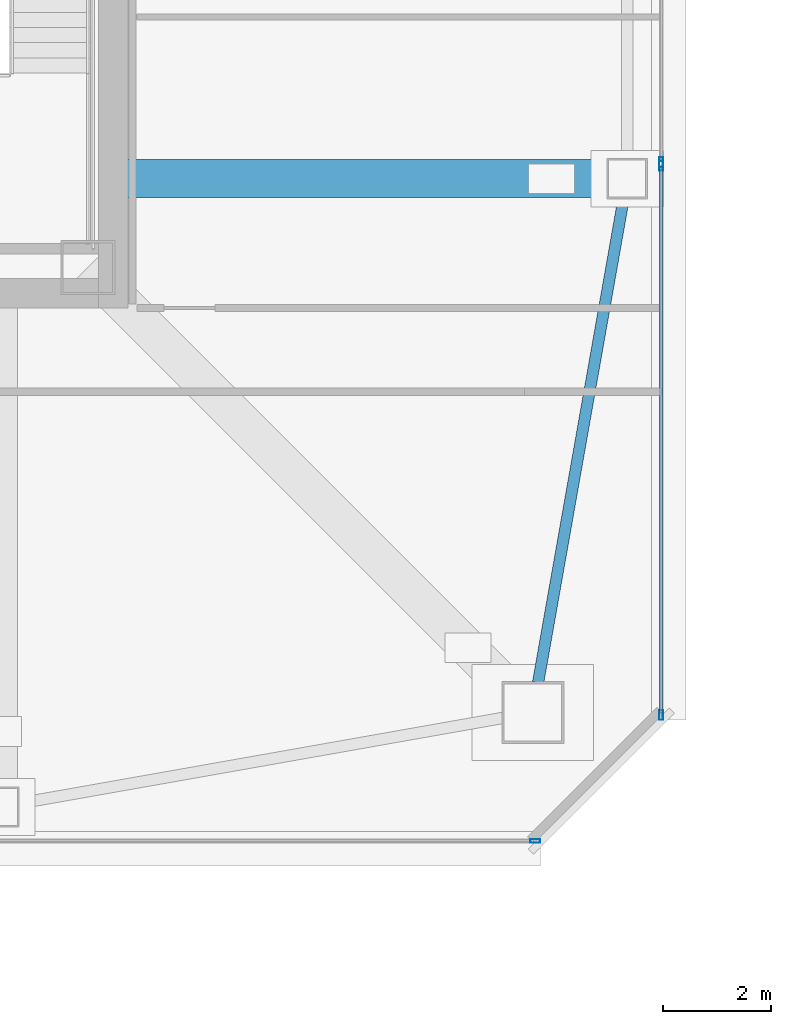
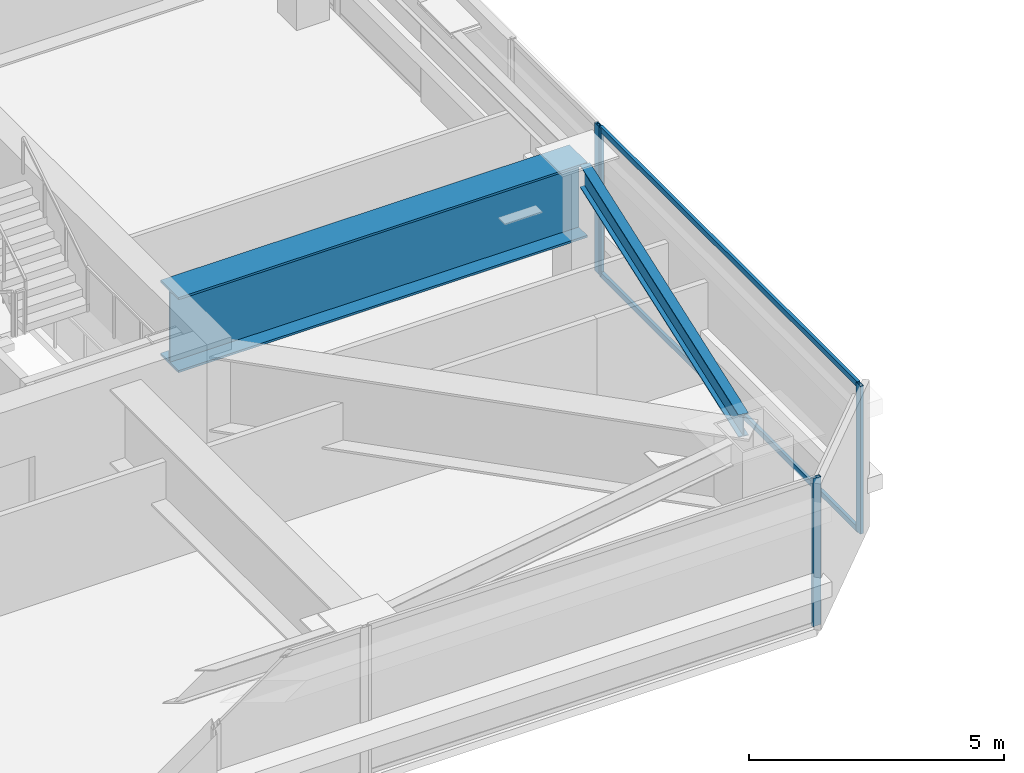
# One storey, part 9 of 42: 6 members, 2 beams, 3 elements without a shape of their own.
"""IFC4 building model written with IfcOpenShell, lengths in metres."""

from ifc_helpers import new_model, si_unit, direction, frame, origin, origin_2d, place, context, subcontext, project, spatial, hollow_rectangle, i_section, extrude, material, material_profile, profile_set, type_object, element, aggregate, save


model = new_model("IFC4")

# Units and contexts
model_context = context("Model", 3, precision=1e-05, world=origin(), true_north=direction((0.0, 1.0)))
body_context = subcontext(model_context, "Body", "Model", "MODEL_VIEW")
ifc_project = project(units=[si_unit("LENGTHUNIT", "METRE"), si_unit("AREAUNIT", "SQUARE_METRE"), si_unit("VOLUMEUNIT", "CUBIC_METRE"), si_unit("PLANEANGLEUNIT", "RADIAN"), si_unit("MASSUNIT", "GRAM", prefix="KILO")], contexts=[model_context])

# Site, building, storey
site_placement = place(None, origin())
site = spatial("IfcSite", under=ifc_project, at=site_placement, CompositionType="ELEMENT")
building_placement = place(site_placement, origin())
building = spatial("IfcBuilding", under=site, at=building_placement, Name="Tashvorn Skyway Center", CompositionType="ELEMENT")
storey_placement = place(building_placement, frame((0.0, 0.0, 196.050048828125)))
storey = spatial("IfcBuildingStorey", under=building, at=storey_placement, Name="L53", CompositionType="ELEMENT", Elevation=196.050048828125)

# Beams
ifc_material_1 = material(Name="Steel ASTM A572 Grade 50", Category="steel")
ifc_material_profile_1 = material_profile(ifc_material_1, i_section(OverallWidth=0.699951171875, OverallDepth=1.800048828125, WebThickness=0.031982421875, FlangeThickness=0.050048828125, at=origin_2d()), Name="PG1800x700")
ifc_profile_set_1 = profile_set([ifc_material_profile_1], Name="Steel ASTM A572 Grade 50")
beam_type_1 = type_object("IfcBeamType", Name="BM-BEAM-PG1800x700", PredefinedType="BEAM", material=ifc_profile_set_1)
beam_1_placement = place(storey_placement, frame((59.050048828125, 26.60009765625, 2.349853515625), z_axis=(-1.0, 0.0, 0.0), x_axis=(0.0, -1.0, 0.0)))
element("IfcBeam", 1, at=beam_1_placement, inside=storey, type_object=beam_type_1, Name="Tower 1 L53 Setback Transfer Girder FC-E1", PredefinedType="BEAM", context=body_context, shape_type="SweptSolid", body=[
    extrude(i_section(OverallWidth=0.699951171875, OverallDepth=1.800048828125, WebThickness=0.031982421875, FlangeThickness=0.050048828125, at=origin_2d()), origin(), (0.0, 0.0, 1.0), 9.27001953125),
])
ifc_material_2 = material(Name="Steel ASTM A992 Grade 50", Category="steel")
ifc_material_profile_2 = material_profile(ifc_material_2, i_section(OverallWidth=0.2109375, OverallDepth=0.5390625, WebThickness=0.01171875, FlangeThickness=0.018798828125, at=origin_2d()), Name="W21X73")
ifc_profile_set_2 = profile_set([ifc_material_profile_2], Name="Steel ASTM A992 Grade 50")
beam_type_2 = type_object("IfcBeamType", Name="BM-SPANDREL-W21X73", PredefinedType="SPANDREL", material=ifc_profile_set_2)
beam_2_placement = place(storey_placement, frame((57.399169921875, 17.26123046875, 2.98046875), z_axis=(0.174074160933, 0.984732545667, 0.0), x_axis=(-0.984732545667, 0.174074160933, 0.0)))
element("IfcBeam", 2, at=beam_2_placement, inside=storey, type_object=beam_type_2, Name="Tower 1 L53 Spandrel Beam 04", PredefinedType="SPANDREL", context=body_context, shape_type="SweptSolid", body=[
    extrude(i_section(OverallWidth=0.2109375, OverallDepth=0.5390625, WebThickness=0.01171875, FlangeThickness=0.018798828125, at=origin_2d()), origin(), (0.0, 0.0, 1.0), 9.113525390625),
])

# Curtain wall, member
ifc_material_3 = material(Name="Thermally broken bronze-anodized aluminium 6063-T6", Category="aluminium")
curtain_wall_type = type_object("IfcCurtainWallType", Name="CW-CW-Z4", PredefinedType="NOTDEFINED", material=ifc_material_3)
curtain_wall_1_placement = place(storey_placement, origin())
curtain_wall_1 = element("IfcCurtainWall", 3, at=curtain_wall_1_placement, inside=storey, type_object=curtain_wall_type, Name="Tower 1 L53 South Unitised Curtain Wall Glazing Group 1", PredefinedType="NOTDEFINED")
ifc_material_profile_3 = material_profile(ifc_material_3, hollow_rectangle(XDim=0.070068359375, YDim=0.179931640625, WallThickness=0.00390625, at=origin_2d()), Name="ALU-MULL-70x180")
ifc_profile_set_3 = profile_set([ifc_material_profile_3], Name="Thermally broken bronze-anodized aluminium 6063-T6")
member_type_1 = type_object("IfcMemberType", Name="CWM-CW-Z4", PredefinedType="MULLION", material=ifc_profile_set_3)
member_1_placement = place(storey_placement, frame((57.344970703125, 14.320068359375, 0.0), z_axis=(0.0, 0.0, 1.0), x_axis=(0.0, -1.0, 0.0)))
member_1 = element("IfcMember", 4, at=member_1_placement, type_object=member_type_1, Name="CW-Z4 mullion 1", PredefinedType="MULLION", context=body_context, shape_type="SweptSolid", body=[
    extrude(hollow_rectangle(XDim=0.070068359375, YDim=0.179931640625, WallThickness=0.00390625, at=origin_2d()), origin(), (0.0, 0.0, 1.0), 3.550048828125),
])
aggregate(curtain_wall_1, [member_1])

curtain_wall_2_placement = place(storey_placement, origin())
curtain_wall_2 = element("IfcCurtainWall", 5, at=curtain_wall_2_placement, inside=storey, type_object=curtain_wall_type, Name="Tower 1 L53 East Unitised Curtain Wall Glazing Group 3", PredefinedType="NOTDEFINED")
member_2_placement = place(storey_placement, frame((59.679931640625, 26.908203125, 0.0), z_axis=(0.0, 0.0, 1.0), x_axis=(1.0, 0.0, 0.0)))
member_2 = element("IfcMember", 6, at=member_2_placement, type_object=member_type_1, Name="CW-Z4 mullion 2", PredefinedType="MULLION", context=body_context, shape_type="SweptSolid", body=[
    extrude(hollow_rectangle(XDim=0.070068359375, YDim=0.179931640625, WallThickness=0.00390625, at=origin_2d()), origin(), (0.0, 0.0, 1.0), 3.550048828125),
])
aggregate(curtain_wall_2, [member_2])

# Curtain wall, members
curtain_wall_3_placement = place(storey_placement, origin())
curtain_wall_3 = element("IfcCurtainWall", 7, at=curtain_wall_3_placement, inside=storey, type_object=curtain_wall_type, Name="Tower 1 L53 East Unitised Curtain Wall Glazing Group 4", PredefinedType="NOTDEFINED")
member_3_placement = place(storey_placement, frame((59.679931640625, 26.83837890625, 0.0), z_axis=(0.0, 0.0, 1.0), x_axis=(1.0, 0.0, 0.0)))
member_3 = element("IfcMember", 8, at=member_3_placement, type_object=member_type_1, Name="CW-Z4 mullion 1", PredefinedType="MULLION", context=body_context, shape_type="SweptSolid", body=[
    extrude(hollow_rectangle(XDim=0.070068359375, YDim=0.179931640625, WallThickness=0.00390625, at=origin_2d()), origin(), (0.0, 0.0, 1.0), 3.550048828125),
])
member_4_placement = place(storey_placement, frame((59.679931640625, 16.655029296875, 0.0), z_axis=(0.0, 0.0, 1.0), x_axis=(1.0, 0.0, 0.0)))
member_4 = element("IfcMember", 9, at=member_4_placement, type_object=member_type_1, Name="CW-Z4 mullion 2", PredefinedType="MULLION", context=body_context, shape_type="SweptSolid", body=[
    extrude(hollow_rectangle(XDim=0.070068359375, YDim=0.179931640625, WallThickness=0.00390625, at=origin_2d()), origin(), (0.0, 0.0, 1.0), 3.550048828125),
])
ifc_material_profile_4 = material_profile(ifc_material_3, hollow_rectangle(XDim=0.070068359375, YDim=0.1298828125, WallThickness=0.00390625, at=origin_2d()), Name="ALU-TRAN-70x130")
ifc_profile_set_4 = profile_set([ifc_material_profile_4], Name="Thermally broken bronze-anodized aluminium 6063-T6")
member_type_2 = type_object("IfcMemberType", Name="CWT-CW-Z4", PredefinedType="USERDEFINED", material=ifc_profile_set_4)
member_5_placement = place(storey_placement, frame((59.679931640625, 26.80322265625, 0.034912109375), z_axis=(0.0, -1.0, 0.0), x_axis=(1.0, 0.0, 0.0)))
member_5 = element("IfcMember", 10, at=member_5_placement, type_object=member_type_2, Name="CW-Z4 transom 1.1", ObjectType="TRANSOM", PredefinedType="USERDEFINED", context=body_context, shape_type="SweptSolid", body=[
    extrude(hollow_rectangle(XDim=0.070068359375, YDim=0.1298828125, WallThickness=0.00390625, at=origin_2d()), origin(), (0.0, 0.0, 1.0), 10.11328125),
])
member_6_placement = place(storey_placement, frame((59.679931640625, 26.80322265625, 3.514892578125), z_axis=(0.0, -1.0, 0.0), x_axis=(1.0, 0.0, 0.0)))
member_6 = element("IfcMember", 11, at=member_6_placement, type_object=member_type_2, Name="CW-Z4 transom 1.2", ObjectType="TRANSOM", PredefinedType="USERDEFINED", context=body_context, shape_type="SweptSolid", body=[
    extrude(hollow_rectangle(XDim=0.070068359375, YDim=0.1298828125, WallThickness=0.00390625, at=origin_2d()), origin(), (0.0, 0.0, 1.0), 10.11328125),
])
aggregate(curtain_wall_3, [member_3, member_4, member_5, member_6])

save(model, "model.ifc")
